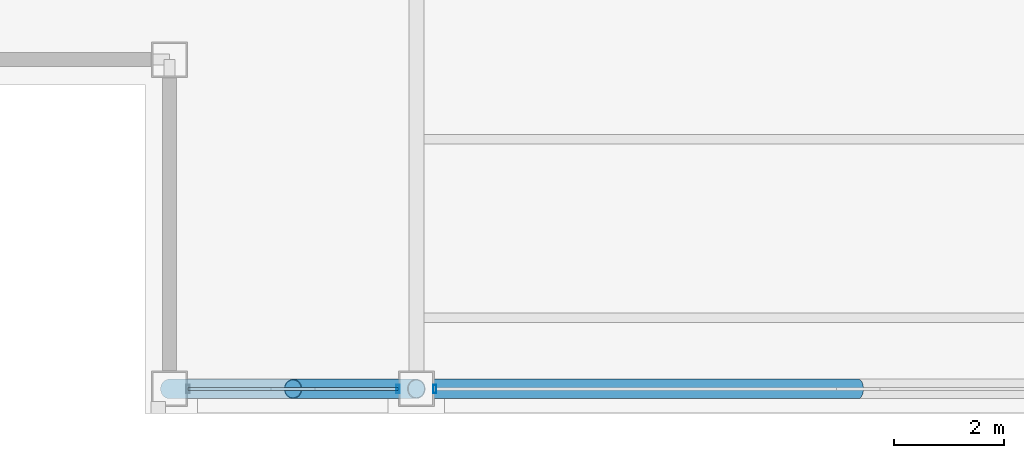
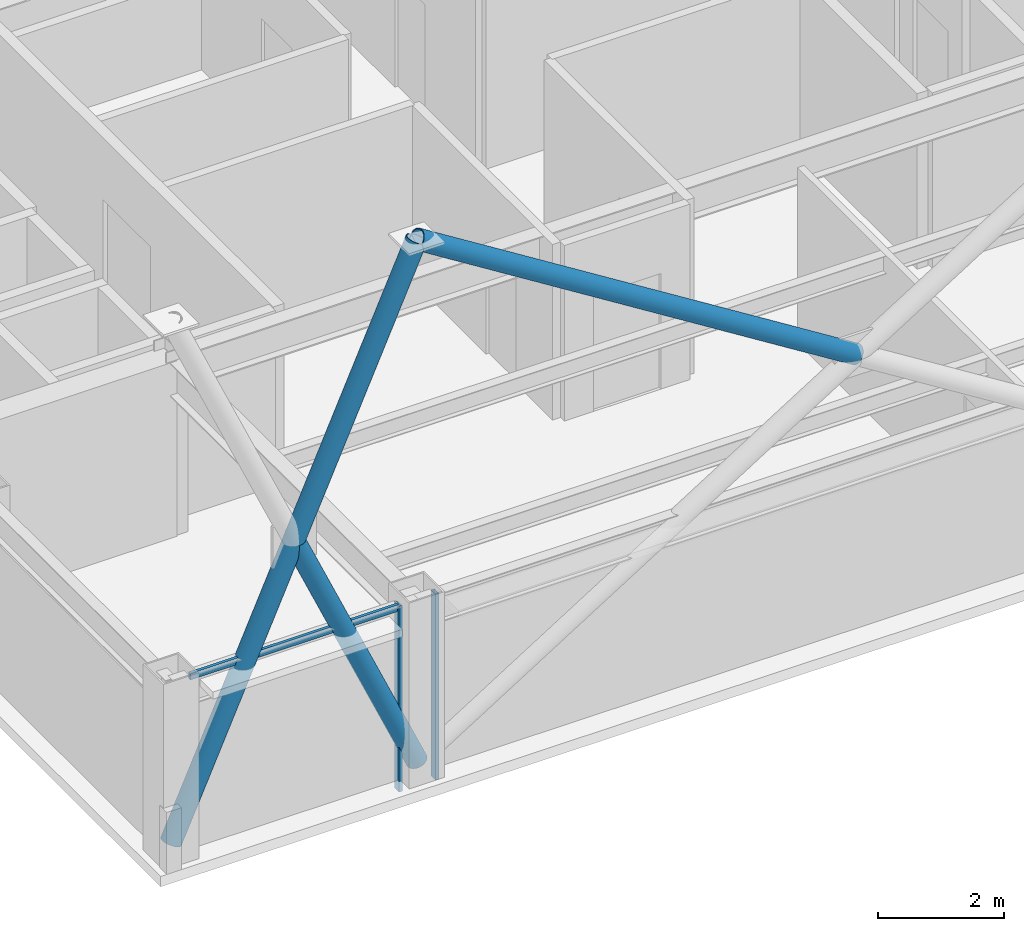
# One storey, part 5 of 28: 6 members, 2 elements without a shape of their own.
"""IFC4 building model written with IfcOpenShell, lengths in metres."""

from ifc_helpers import new_model, si_unit, direction, frame, origin, origin_2d, place, context, subcontext, project, spatial, hollow_rectangle, hollow_circle, extrude, material, layer, layer_set, material_profile, profile_set, type_object, element, aggregate, save


model = new_model("IFC4")

# Units and contexts
model_context = context("Model", 3, precision=1e-05, world=origin(), true_north=direction((0.0, 1.0)))
body_context = subcontext(model_context, "Body", "Model", "MODEL_VIEW")
ifc_project = project(units=[si_unit("LENGTHUNIT", "METRE"), si_unit("AREAUNIT", "SQUARE_METRE"), si_unit("VOLUMEUNIT", "CUBIC_METRE"), si_unit("PLANEANGLEUNIT", "RADIAN"), si_unit("MASSUNIT", "GRAM", prefix="KILO")], contexts=[model_context])

# Site, building, storey
site_placement = place(None, origin())
site = spatial("IfcSite", under=ifc_project, at=site_placement, CompositionType="ELEMENT")
building_placement = place(site_placement, origin())
building = spatial("IfcBuilding", under=site, at=building_placement, Name="Brelmoor Portico Tower", CompositionType="ELEMENT")
storey_placement = place(building_placement, frame((0.0, 0.0, 225.60009765625)))
storey = spatial("IfcBuildingStorey", under=building, at=storey_placement, Name="L59", CompositionType="ELEMENT", Elevation=225.60009765625)

# Members
ifc_material_1 = material(Name="Steel Q355B", Category="steel")
ifc_material_profile_1 = material_profile(ifc_material_1, hollow_circle(Radius=0.177978515625, WallThickness=0.01611328125, at=origin_2d()), Name="CHS 356x16")
ifc_profile_set_1 = profile_set([ifc_material_profile_1], Name="Steel Q355B")
member_type_1 = type_object("IfcMemberType", Name="MB-BELT-DIAG2", PredefinedType="BRACE", material=ifc_profile_set_1)
member_1_placement = place(storey_placement, frame((-12.550048828125, -17.550048828125, 0.25), z_axis=(0.406982348496, 0.0, 0.913436022945), x_axis=(0.0, 1.0, 0.0)))
element("IfcMember", 1, at=member_1_placement, inside=storey, type_object=member_type_1, Name="L59 Continuous Mega-X Brace 133A", PredefinedType="BRACE", context=body_context, shape_type="SweptSolid", body=[
    extrude(hollow_circle(Radius=0.177978515625, WallThickness=0.01611328125, at=origin_2d()), origin(), (0.0, 0.0, 1.0), 11.056884765625),
])
member_2_placement = place(storey_placement, frame((-8.050048828125, -17.550048828125, 0.25), z_axis=(-0.406990557013, 0.0, 0.913432365587), x_axis=(0.0, -1.0, 0.0)))
element("IfcMember", 2, at=member_2_placement, inside=storey, type_object=member_type_1, Name="L59 Split Mega-X Brace 133B1", PredefinedType="BRACE", context=body_context, shape_type="SweptSolid", body=[
    extrude(hollow_circle(Radius=0.177978515625, WallThickness=0.01611328125, at=origin_2d()), origin(), (0.0, 0.0, 1.0), 5.5283203125),
])
member_3_placement = place(storey_placement, frame((0.0, -17.550048828125, 5.2998046875), z_axis=(-0.847109476093, 0.0, 0.531418418493), x_axis=(0.0, -1.0, 0.0)))
element("IfcMember", 3, at=member_3_placement, inside=storey, type_object=member_type_1, Name="L59 Split Mega-X Brace 134B2", PredefinedType="BRACE", context=body_context, shape_type="SweptSolid", body=[
    extrude(hollow_circle(Radius=0.177978515625, WallThickness=0.01611328125, at=origin_2d()), origin(), (0.0, 0.0, 1.0), 9.5029296875),
])

# Curtain wall, member
ifc_material_2 = material(Name="Anodised Aluminium Alloy 6063-T6", Category="aluminium")
ifc_layer = layer(ifc_material_2, 0.179931640625)
ifc_layer_set = layer_set([ifc_layer], Name="Anodised Aluminium Alloy 6063-T6")
curtain_wall_type = type_object("IfcCurtainWallType", Name="CW-TOWER-Z4-XB", PredefinedType="NOTDEFINED", material=ifc_layer_set)
curtain_wall_1_placement = place(storey_placement, origin())
curtain_wall_1 = element("IfcCurtainWall", 4, at=curtain_wall_1_placement, inside=storey, type_object=curtain_wall_type, Name="L59 Curtain Wall CW-L59-01-1", PredefinedType="NOTDEFINED")
ifc_material_profile_2 = material_profile(ifc_material_2, hollow_rectangle(XDim=0.06005859375, YDim=0.14990234375, WallThickness=0.00390625, at=origin_2d()), Name="ALU MULLION 60x150")
ifc_profile_set_2 = profile_set([ifc_material_profile_2], Name="Anodised Aluminium Alloy 6063-T6")
member_type_2 = type_object("IfcMemberType", Name="MB-CW-MULL-150", PredefinedType="MULLION", material=ifc_profile_set_2)
member_4_placement = place(storey_placement, frame((-8.385009765625, -17.550048828125, -0.2001953125), z_axis=(0.0, 0.0, 1.0), x_axis=(1.0, 0.0, 0.0)))
member_4 = element("IfcMember", 5, at=member_4_placement, type_object=member_type_2, Name="CW-L59-01-1 Mullion 01", PredefinedType="MULLION", context=body_context, shape_type="SweptSolid", body=[
    extrude(hollow_rectangle(XDim=0.06005859375, YDim=0.14990234375, WallThickness=0.00390625, at=origin_2d()), origin(), (0.0, 0.0, 1.0), 3.60009765625),
])

curtain_wall_2_placement = place(storey_placement, origin())
curtain_wall_2 = element("IfcCurtainWall", 6, at=curtain_wall_2_placement, inside=storey, type_object=curtain_wall_type, Name="L59 Curtain Wall CW-L59-01-2", PredefinedType="NOTDEFINED")
member_5_placement = place(storey_placement, frame((-7.715087890625, -17.550048828125, -0.2001953125), z_axis=(0.0, 0.0, 1.0), x_axis=(1.0, 0.0, 0.0)))
member_5 = element("IfcMember", 7, at=member_5_placement, type_object=member_type_2, Name="CW-L59-01-2 Mullion 00", PredefinedType="MULLION", context=body_context, shape_type="SweptSolid", body=[
    extrude(hollow_rectangle(XDim=0.06005859375, YDim=0.14990234375, WallThickness=0.00390625, at=origin_2d()), origin(), (0.0, 0.0, 1.0), 3.60009765625),
])
aggregate(curtain_wall_2, [member_5])

# Member
ifc_material_profile_3 = material_profile(ifc_material_2, hollow_rectangle(XDim=0.06005859375, YDim=0.125, WallThickness=0.00341796875, at=origin_2d()), Name="ALU TRANSOM 60x125")
ifc_profile_set_3 = profile_set([ifc_material_profile_3], Name="Anodised Aluminium Alloy 6063-T6")
member_type_3 = type_object("IfcMemberType", Name="MB-CW-TRAN-125", PredefinedType="USERDEFINED", material=ifc_profile_set_3)
member_6_placement = place(storey_placement, frame((-12.215087890625, -17.550048828125, 3.33740234375), z_axis=(1.0, 0.0, 0.0), x_axis=(0.0, 1.0, 0.0)))
member_6 = element("IfcMember", 8, at=member_6_placement, type_object=member_type_3, Name="CW-L59-01-1 Transom 1-00", ObjectType="TRANSOM", PredefinedType="USERDEFINED", context=body_context, shape_type="SweptSolid", body=[
    extrude(hollow_rectangle(XDim=0.06005859375, YDim=0.125, WallThickness=0.00341796875, at=origin_2d()), origin(), (0.0, 0.0, 1.0), 3.830078125),
])

aggregate(curtain_wall_1, [member_4, member_6])

save(model, "model.ifc")
